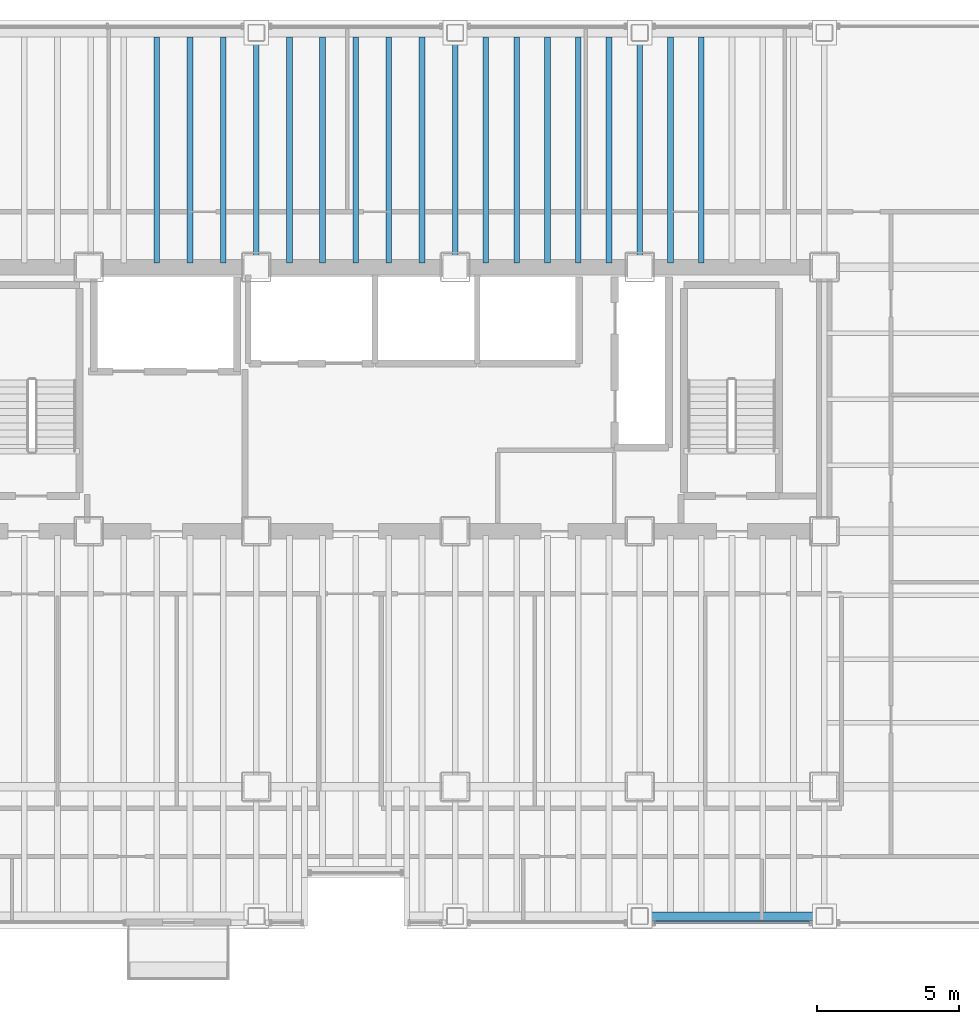
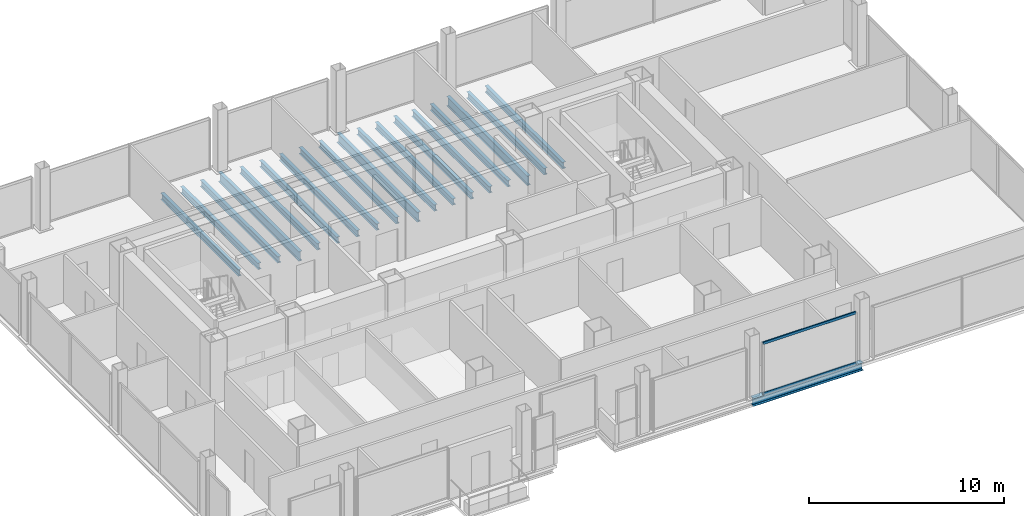
# One storey, part 7 of 20: 19 beams, 2 members, 1 element without a shape of its own.
"""IFC4 building model written with IfcOpenShell, lengths in metres."""

from ifc_helpers import new_model, si_unit, direction, frame, origin, origin_2d, place, context, subcontext, project, spatial, hollow_rectangle, i_section, extrude, material, material_profile, profile_set, type_object, element, aggregate, save


model = new_model("IFC4")

# Units and contexts
model_context = context("Model", 3, precision=1e-05, world=origin(), true_north=direction((0.0, 1.0)))
body_context = subcontext(model_context, "Body", "Model", "MODEL_VIEW")
ifc_project = project(units=[si_unit("LENGTHUNIT", "METRE"), si_unit("AREAUNIT", "SQUARE_METRE"), si_unit("VOLUMEUNIT", "CUBIC_METRE"), si_unit("PLANEANGLEUNIT", "RADIAN"), si_unit("MASSUNIT", "GRAM", prefix="KILO")], contexts=[model_context])

# Site, building, storey
site_placement = place(None, origin())
site = spatial("IfcSite", under=ifc_project, at=site_placement, CompositionType="ELEMENT")
building_placement = place(site_placement, origin())
building = spatial("IfcBuilding", under=site, at=building_placement, Name="Noeulbin Bourse Tower", CompositionType="ELEMENT")
storey_placement = place(building_placement, frame((0.0, 0.0, 57.699951171875)))
storey = spatial("IfcBuildingStorey", under=building, at=storey_placement, Name="L14", CompositionType="ELEMENT", Elevation=57.699951171875)

# Beams
ifc_material_1 = material(Name="Steel S355", Category="steel")
ifc_material_profile_1 = material_profile(ifc_material_1, i_section(OverallWidth=0.199951171875, OverallDepth=0.60009765625, WebThickness=0.010986328125, FlangeThickness=0.01708984375, FilletRadius=0.02197265625, at=origin_2d()), Name="H-600x200x11x17", Category="LoadBearing")
ifc_profile_set_1 = profile_set([ifc_material_profile_1], Name="Steel S355")
beam_type_1 = type_object("IfcBeamType", Name="BM-GRD-600", PredefinedType="USERDEFINED", material=ifc_profile_set_1)
for number, where, z_axis, x_axis, name in (
    (1, (24.0, 38.300048828125, -0.47998046875), (0.0, 1.0, 0.0), (-1.0, 0.0, 0.0), "Tower Primary Girder NS L14-2.4"),
    (2, (31.0, 38.300048828125, -0.47998046875), (0.0, 1.0, 0.0), (-1.0, 0.0, 0.0), "Tower Primary Girder NS L14-3.4"),
    (3, (37.5, 38.300048828125, -0.47998046875), (0.0, 1.0, 0.0), (-1.0, 0.0, 0.0), "Tower Primary Girder NS L14-4.4"),
):
    element("IfcBeam", number, at=place(storey_placement, frame(where, z_axis=z_axis, x_axis=x_axis)), inside=storey, type_object=beam_type_1, Name=name, ObjectType="GIRDER", PredefinedType="USERDEFINED", context=body_context, shape_type="SweptSolid", body=[
        extrude(i_section(OverallWidth=0.199951171875, OverallDepth=0.60009765625, WebThickness=0.010986328125, FlangeThickness=0.01708984375, FilletRadius=0.02197265625, at=origin_2d()), origin(), (0.0, 0.0, 1.0), 8.25),
    ])
ifc_material_profile_2 = material_profile(ifc_material_1, i_section(OverallWidth=0.199951171875, OverallDepth=0.39990234375, WebThickness=0.008056640625, FlangeThickness=0.012939453125, FilletRadius=0.01611328125, at=origin_2d()), Name="H-400x200x8x13", Category="LoadBearing")
ifc_profile_set_2 = profile_set([ifc_material_profile_2], Name="Steel S355")
beam_type_2 = type_object("IfcBeamType", Name="BM-SEC-400", PredefinedType="BEAM", material=ifc_profile_set_2)
for number, where, z_axis, x_axis, name in (
    (4, (20.5, 38.449951171875, -0.3798828125), (0.0, 1.0, 0.0), (-1.0, 0.0, 0.0), "Tower Composite Joist L14-18"),
    (5, (21.666748046875, 38.449951171875, -0.3798828125), (0.0, 1.0, 0.0), (-1.0, 0.0, 0.0), "Tower Composite Joist L14-21"),
    (6, (22.833251953125, 38.449951171875, -0.3798828125), (0.0, 1.0, 0.0), (-1.0, 0.0, 0.0), "Tower Composite Joist L14-24"),
    (7, (25.166748046875, 38.449951171875, -0.3798828125), (0.0, 1.0, 0.0), (-1.0, 0.0, 0.0), "Tower Composite Joist L14-27"),
    (8, (26.333251953125, 38.449951171875, -0.3798828125), (0.0, 1.0, 0.0), (-1.0, 0.0, 0.0), "Tower Composite Joist L14-30"),
    (9, (27.5, 38.449951171875, -0.3798828125), (0.0, 1.0, 0.0), (-1.0, 0.0, 0.0), "Tower Composite Joist L14-33"),
    (10, (28.666748046875, 38.449951171875, -0.3798828125), (0.0, 1.0, 0.0), (-1.0, 0.0, 0.0), "Tower Composite Joist L14-36"),
    (11, (29.833251953125, 38.449951171875, -0.3798828125), (0.0, 1.0, 0.0), (-1.0, 0.0, 0.0), "Tower Composite Joist L14-39"),
    (12, (32.083251953125, 38.449951171875, -0.3798828125), (0.0, 1.0, 0.0), (-1.0, 0.0, 0.0), "Tower Composite Joist L14-42"),
    (13, (33.166748046875, 38.449951171875, -0.3798828125), (0.0, 1.0, 0.0), (-1.0, 0.0, 0.0), "Tower Composite Joist L14-45"),
    (14, (34.25, 38.449951171875, -0.3798828125), (0.0, 1.0, 0.0), (-1.0, 0.0, 0.0), "Tower Composite Joist L14-48"),
    (15, (35.333251953125, 38.449951171875, -0.3798828125), (0.0, 1.0, 0.0), (-1.0, 0.0, 0.0), "Tower Composite Joist L14-51"),
    (16, (36.416748046875, 38.449951171875, -0.3798828125), (0.0, 1.0, 0.0), (-1.0, 0.0, 0.0), "Tower Composite Joist L14-54"),
    (17, (38.583251953125, 38.449951171875, -0.3798828125), (0.0, 1.0, 0.0), (-1.0, 0.0, 0.0), "Tower Composite Joist L14-57"),
    (18, (39.666748046875, 38.449951171875, -0.3798828125), (0.0, 1.0, 0.0), (-1.0, 0.0, 0.0), "Tower Composite Joist L14-60"),
):
    element("IfcBeam", number, at=place(storey_placement, frame(where, z_axis=z_axis, x_axis=x_axis)), inside=storey, type_object=beam_type_2, Name=name, PredefinedType="BEAM", context=body_context, shape_type="SweptSolid", body=[
        extrude(i_section(OverallWidth=0.199951171875, OverallDepth=0.39990234375, WebThickness=0.008056640625, FlangeThickness=0.012939453125, FilletRadius=0.01611328125, at=origin_2d()), origin(), (0.0, 0.0, 1.0), 7.949951171875),
    ])
ifc_material_profile_3 = material_profile(ifc_material_1, i_section(OverallWidth=0.300048828125, OverallDepth=0.488037109375, WebThickness=0.010986328125, FlangeThickness=0.01806640625, FilletRadius=0.02197265625, at=origin_2d()), Name="H-488x300x11x18", Category="LoadBearing")
ifc_profile_set_3 = profile_set([ifc_material_profile_3], Name="Steel S355")
beam_type_3 = type_object("IfcBeamType", Name="BM-SPN-488", PredefinedType="SPANDREL", material=ifc_profile_set_3)
beam_placement = place(storey_placement, frame((37.5, 15.449951171875, -0.424072265625), z_axis=(1.0, 0.0, 0.0), x_axis=(0.0, 1.0, 0.0)))
element("IfcBeam", 19, at=beam_placement, inside=storey, type_object=beam_type_3, Name="South Spandrel L14-4", PredefinedType="SPANDREL", context=body_context, shape_type="SweptSolid", body=[
    extrude(i_section(OverallWidth=0.300048828125, OverallDepth=0.488037109375, WebThickness=0.010986328125, FlangeThickness=0.01806640625, FilletRadius=0.02197265625, at=origin_2d()), origin(), (0.0, 0.0, 1.0), 6.5),
])

# Curtain wall, members
ifc_material_2 = material(Name="Dark Solar-Control Double Glazing", Category="glass")
curtain_wall_type = type_object("IfcCurtainWallType", Name="CW-SYS-2", PredefinedType="NOTDEFINED", material=ifc_material_2)
curtain_wall_placement = place(storey_placement, origin())
curtain_wall = element("IfcCurtainWall", 20, at=curtain_wall_placement, inside=storey, type_object=curtain_wall_type, Name="Unitised Curtain Wall CW-L14-S3-S3", PredefinedType="NOTDEFINED")
ifc_material_3 = material(Name="Anodised Aluminium 6063-T6", Category="aluminium")
ifc_material_profile_4 = material_profile(ifc_material_3, hollow_rectangle(XDim=0.074951171875, YDim=0.159912109375, WallThickness=0.0048828125, InnerFilletRadius=0.00244140625, OuterFilletRadius=0.0048828125, at=origin_2d()), Name="ALU-TRAN-75x160x5", Category="LoadBearing")
ifc_profile_set_4 = profile_set([ifc_material_profile_4], Name="Anodised Aluminium 6063-T6")
member_type = type_object("IfcMemberType", Name="CW-SYS-2-TRN", PredefinedType="USERDEFINED", material=ifc_profile_set_4)
member_1_placement = place(storey_placement, frame((38.010009765625, 15.219970703125, 0.010009765625), z_axis=(1.0, 0.0, 0.0), x_axis=(0.0, 1.0, 0.0)))
member_1 = element("IfcMember", 21, at=member_1_placement, type_object=member_type, Name="Curtain Wall Transom CW-L14-S3-S3-T00", ObjectType="TRANSOM", PredefinedType="USERDEFINED", context=body_context, shape_type="SweptSolid", body=[
    extrude(hollow_rectangle(XDim=0.074951171875, YDim=0.159912109375, WallThickness=0.0048828125, InnerFilletRadius=0.00244140625, OuterFilletRadius=0.0048828125, at=origin_2d()), origin(), (0.0, 0.0, 1.0), 5.47998046875),
])
member_2_placement = place(storey_placement, frame((38.010009765625, 15.219970703125, 3.170166015625), z_axis=(1.0, 0.0, 0.0), x_axis=(0.0, 1.0, 0.0)))
member_2 = element("IfcMember", 22, at=member_2_placement, type_object=member_type, Name="Curtain Wall Transom CW-L14-S3-S3-T01", ObjectType="TRANSOM", PredefinedType="USERDEFINED", context=body_context, shape_type="SweptSolid", body=[
    extrude(hollow_rectangle(XDim=0.074951171875, YDim=0.159912109375, WallThickness=0.0048828125, InnerFilletRadius=0.00244140625, OuterFilletRadius=0.0048828125, at=origin_2d()), origin(), (0.0, 0.0, 1.0), 5.47998046875),
])
aggregate(curtain_wall, [member_1, member_2])

save(model, "model.ifc")
